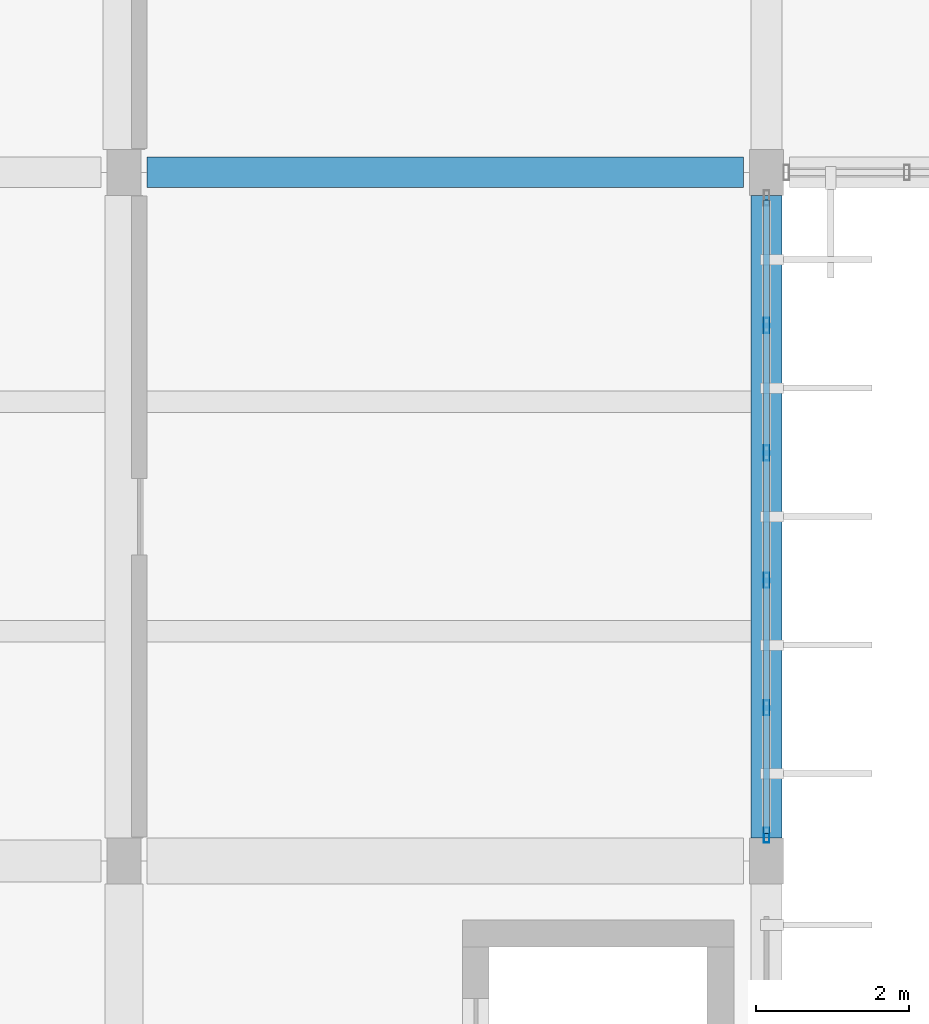
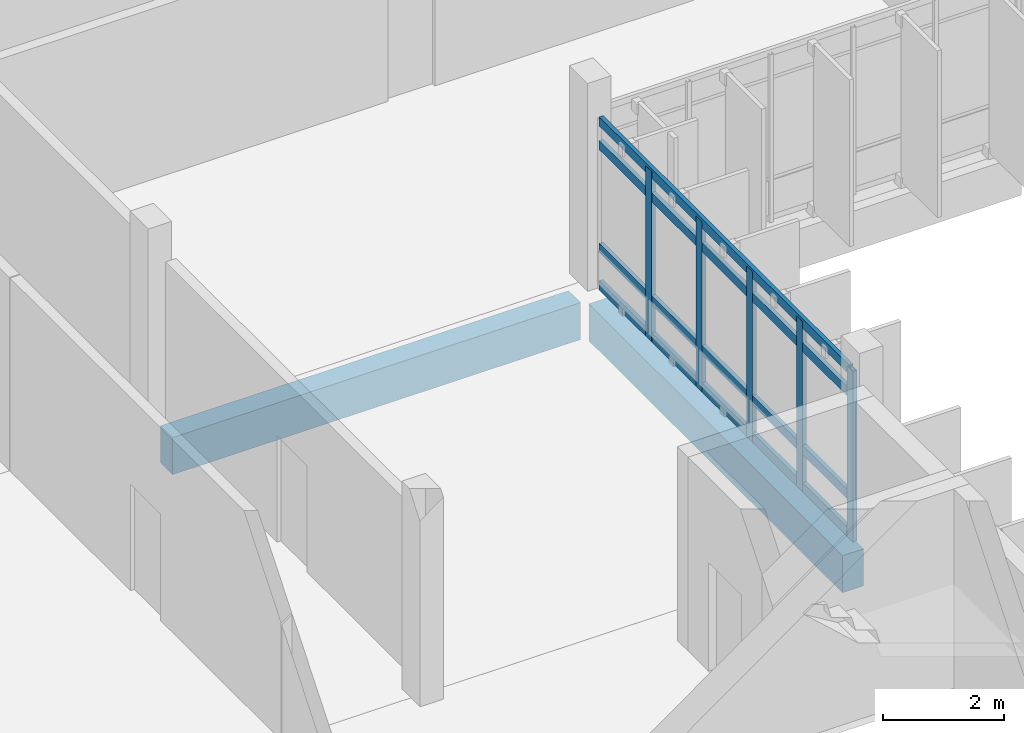
# One storey, part 53 of 107: 9 members, 2 beams, 1 element without a shape of its own.
"""IFC4 building model written with IfcOpenShell, lengths in metres."""

from ifc_helpers import new_model, si_unit, direction, frame, origin, origin_2d, place, context, subcontext, project, spatial, rectangle, hollow_rectangle, extrude, material, layer, layer_set, material_profile, profile_set, type_object, element, aggregate, save


model = new_model("IFC4")

# Units and contexts
model_context = context("Model", 3, precision=1e-05, world=origin(), true_north=direction((0.0, 1.0)))
body_context = subcontext(model_context, "Body", "Model", "MODEL_VIEW")
ifc_project = project(units=[si_unit("LENGTHUNIT", "METRE"), si_unit("AREAUNIT", "SQUARE_METRE"), si_unit("VOLUMEUNIT", "CUBIC_METRE"), si_unit("PLANEANGLEUNIT", "RADIAN"), si_unit("MASSUNIT", "GRAM", prefix="KILO")], contexts=[model_context])

# Site, building, storey
site_placement = place(None, origin())
site = spatial("IfcSite", under=ifc_project, at=site_placement, CompositionType="ELEMENT")
building_placement = place(site_placement, origin())
building = spatial("IfcBuilding", under=site, at=building_placement, Name="Vireocrest Preparatory School", CompositionType="ELEMENT")
storey_placement = place(building_placement, frame((0.0, 0.0, 13.199951171875)))
storey = spatial("IfcBuildingStorey", under=building, at=storey_placement, Name="L03", CompositionType="ELEMENT", Elevation=13.199951171875)

# Curtain wall, members
ifc_material_1 = material(Name="Thermally broken aluminium EN AW-6063-T6", Category="aluminium")
ifc_layer = layer(ifc_material_1, 0.179931640625)
ifc_layer_set = layer_set([ifc_layer], Name="Thermally broken aluminium EN AW-6063-T6")
curtain_wall_type = type_object("IfcCurtainWallType", Name="Side Facade Curtain Wall 9000x4200", PredefinedType="USERDEFINED", material=ifc_layer_set)
curtain_wall_placement = place(storey_placement, origin())
curtain_wall = element("IfcCurtainWall", 1, at=curtain_wall_placement, inside=storey, type_object=curtain_wall_type, Name="Curtain Wall CW07 CW_L03_CW07_1092_0861_132", ObjectType="CURTAIN WALL", PredefinedType="USERDEFINED")
ifc_material_profile_1 = material_profile(ifc_material_1, hollow_rectangle(XDim=0.074951171875, YDim=0.199951171875, WallThickness=0.0048828125, at=origin_2d()), Name="ALU 75x200x5")
ifc_profile_set_1 = profile_set([ifc_material_profile_1], Name="Thermally broken aluminium EN AW-6063-T6")
member_type_1 = type_object("IfcMemberType", Name="CW Mullion 75x200x5", PredefinedType="MULLION", material=ifc_profile_set_1)
member_1_placement = place(storey_placement, frame((109.199951171875, 86.135009765625, 0.0), z_axis=(0.0, 0.0, 1.0), x_axis=(1.0, 0.0, 0.0)))
member_1 = element("IfcMember", 2, at=member_1_placement, type_object=member_type_1, Name="CW Mullion ML3 CW_L03_CW07_1092_0861_132-1", PredefinedType="MULLION", context=body_context, shape_type="SweptSolid", body=[
    extrude(hollow_rectangle(XDim=0.074951171875, YDim=0.199951171875, WallThickness=0.0048828125, at=origin_2d()), origin(), (0.0, 0.0, 1.0), 3.445068359375),
])
member_2_placement = place(storey_placement, frame((109.199951171875, 87.801025390625, 0.0), z_axis=(0.0, 0.0, 1.0), x_axis=(1.0, 0.0, 0.0)))
member_2 = element("IfcMember", 3, at=member_2_placement, type_object=member_type_1, Name="CW Mullion ML3 CW_L03_CW07_1092_0861_132-2", PredefinedType="MULLION", context=body_context, shape_type="SweptSolid", body=[
    extrude(hollow_rectangle(XDim=0.074951171875, YDim=0.199951171875, WallThickness=0.0048828125, at=origin_2d()), origin(), (0.0, 0.0, 1.0), 3.445068359375),
])
member_3_placement = place(storey_placement, frame((109.199951171875, 89.467041015625, 0.0), z_axis=(0.0, 0.0, 1.0), x_axis=(1.0, 0.0, 0.0)))
member_3 = element("IfcMember", 4, at=member_3_placement, type_object=member_type_1, Name="CW Mullion ML3 CW_L03_CW07_1092_0861_132-3", PredefinedType="MULLION", context=body_context, shape_type="SweptSolid", body=[
    extrude(hollow_rectangle(XDim=0.074951171875, YDim=0.199951171875, WallThickness=0.0048828125, at=origin_2d()), origin(), (0.0, 0.0, 1.0), 3.445068359375),
])
member_4_placement = place(storey_placement, frame((109.199951171875, 91.133056640625, 0.0), z_axis=(0.0, 0.0, 1.0), x_axis=(1.0, 0.0, 0.0)))
member_4 = element("IfcMember", 5, at=member_4_placement, type_object=member_type_1, Name="CW Mullion ML3 CW_L03_CW07_1092_0861_132-4", PredefinedType="MULLION", context=body_context, shape_type="SweptSolid", body=[
    extrude(hollow_rectangle(XDim=0.074951171875, YDim=0.199951171875, WallThickness=0.0048828125, at=origin_2d()), origin(), (0.0, 0.0, 1.0), 3.445068359375),
])
member_5_placement = place(storey_placement, frame((109.199951171875, 92.799072265625, 0.0), z_axis=(0.0, 0.0, 1.0), x_axis=(1.0, 0.0, 0.0)))
member_5 = element("IfcMember", 6, at=member_5_placement, type_object=member_type_1, Name="CW Mullion ML3 CW_L03_CW07_1092_0861_132-5", PredefinedType="MULLION", context=body_context, shape_type="SweptSolid", body=[
    extrude(hollow_rectangle(XDim=0.074951171875, YDim=0.199951171875, WallThickness=0.0048828125, at=origin_2d()), origin(), (0.0, 0.0, 1.0), 3.445068359375),
])
ifc_material_profile_2 = material_profile(ifc_material_1, hollow_rectangle(XDim=0.074951171875, YDim=0.18994140625, WallThickness=0.00390625, at=origin_2d()), Name="ALU 75x190x4")
ifc_profile_set_2 = profile_set([ifc_material_profile_2], Name="Thermally broken aluminium EN AW-6063-T6")
member_type_2 = type_object("IfcMemberType", Name="CW Transom 75x190x4", PredefinedType="USERDEFINED", material=ifc_profile_set_2)
member_6_placement = place(storey_placement, frame((109.199951171875, 86.159912109375, 0.094970703125), z_axis=(0.0, 1.0, 0.0), x_axis=(-1.0, 0.0, 0.0)))
member_6 = element("IfcMember", 7, at=member_6_placement, type_object=member_type_2, Name="CW Transom TR3 CW_L03_CW07_1092_0861_132-1", ObjectType="TRANSOM", PredefinedType="USERDEFINED", context=body_context, shape_type="SweptSolid", body=[
    extrude(hollow_rectangle(XDim=0.074951171875, YDim=0.18994140625, WallThickness=0.00390625, at=origin_2d()), origin(), (0.0, 0.0, 1.0), 8.280029296875),
])
member_7_placement = place(storey_placement, frame((109.199951171875, 86.159912109375, 0.85009765625), z_axis=(0.0, 1.0, 0.0), x_axis=(-1.0, 0.0, 0.0)))
member_7 = element("IfcMember", 8, at=member_7_placement, type_object=member_type_2, Name="CW Transom TR3 CW_L03_CW07_1092_0861_132-2", ObjectType="TRANSOM", PredefinedType="USERDEFINED", context=body_context, shape_type="SweptSolid", body=[
    extrude(hollow_rectangle(XDim=0.074951171875, YDim=0.18994140625, WallThickness=0.00390625, at=origin_2d()), origin(), (0.0, 0.0, 1.0), 8.280029296875),
])
member_8_placement = place(storey_placement, frame((109.199951171875, 86.159912109375, 2.929931640625), z_axis=(0.0, 1.0, 0.0), x_axis=(-1.0, 0.0, 0.0)))
member_8 = element("IfcMember", 9, at=member_8_placement, type_object=member_type_2, Name="CW Transom TR3 CW_L03_CW07_1092_0861_132-3", ObjectType="TRANSOM", PredefinedType="USERDEFINED", context=body_context, shape_type="SweptSolid", body=[
    extrude(hollow_rectangle(XDim=0.074951171875, YDim=0.18994140625, WallThickness=0.00390625, at=origin_2d()), origin(), (0.0, 0.0, 1.0), 8.280029296875),
])
member_9_placement = place(storey_placement, frame((109.199951171875, 86.159912109375, 3.405029296875), z_axis=(0.0, 1.0, 0.0), x_axis=(-1.0, 0.0, 0.0)))
member_9 = element("IfcMember", 10, at=member_9_placement, type_object=member_type_2, Name="CW Transom TR3 CW_L03_CW07_1092_0861_132-4", ObjectType="TRANSOM", PredefinedType="USERDEFINED", context=body_context, shape_type="SweptSolid", body=[
    extrude(hollow_rectangle(XDim=0.074951171875, YDim=0.18994140625, WallThickness=0.00390625, at=origin_2d()), origin(), (0.0, 0.0, 1.0), 8.280029296875),
])
aggregate(curtain_wall, [member_1, member_2, member_3, member_4, member_5, member_6, member_7, member_8, member_9])

# Beams
ifc_material_2 = material(Name="Concrete 40 MPa", Category="concrete")
ifc_material_profile_3 = material_profile(ifc_material_2, rectangle(XDim=0.39990234375, YDim=0.75, at=origin_2d()), Name="RC 400x750")
ifc_profile_set_3 = profile_set([ifc_material_profile_3], Name="Concrete 40 MPa")
beam_type = type_object("IfcBeamType", Name="RC Commons Girder 400x750", PredefinedType="BEAM", material=ifc_profile_set_3)
beam_1_placement = place(storey_placement, frame((101.10009765625, 94.800048828125, -0.635009765625), z_axis=(1.0, 0.0, 0.0), x_axis=(0.0, 1.0, 0.0)))
element("IfcBeam", 11, at=beam_1_placement, inside=storey, type_object=beam_type, Name="Primary Girder B09 L03-1087", PredefinedType="BEAM", context=body_context, shape_type="SweptSolid", body=[
    extrude(rectangle(XDim=0.39990234375, YDim=0.75, at=origin_2d()), origin(), (0.0, 0.0, 1.0), 7.7998046875),
])
beam_2_placement = place(storey_placement, frame((109.199951171875, 86.10009765625, -0.635009765625), z_axis=(0.0, 1.0, 0.0), x_axis=(-1.0, 0.0, 0.0)))
element("IfcBeam", 12, at=beam_2_placement, inside=storey, type_object=beam_type, Name="Primary Girder B09 L03-1172", PredefinedType="BEAM", context=body_context, shape_type="SweptSolid", body=[
    extrude(rectangle(XDim=0.39990234375, YDim=0.75, at=origin_2d()), origin(), (0.0, 0.0, 1.0), 8.39990234375),
])

save(model, "model.ifc")
